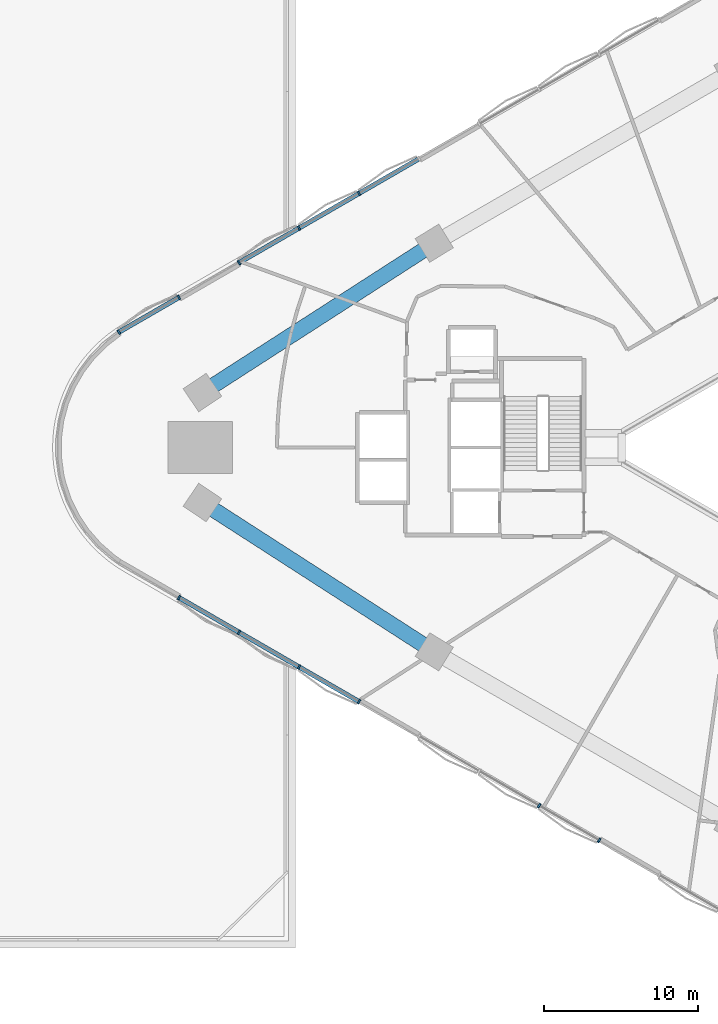
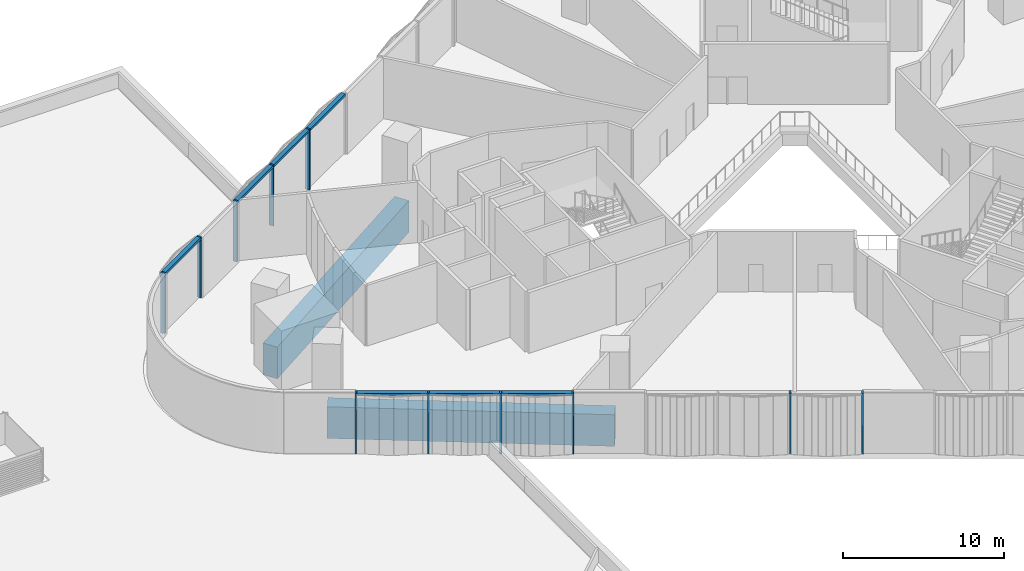
# One storey, part 2 of 14: 14 members, 2 beams, 2 elements without a shape of their own.
"""IFC4 building model written with IfcOpenShell, lengths in metres."""

from ifc_helpers import new_model, si_unit, direction, frame, origin, origin_2d, place, context, subcontext, project, spatial, rectangle, extrude, material, material_profile, profile_set, type_object, element, aggregate, save


model = new_model("IFC4")

# Units and contexts
model_context = context("Model", 3, precision=1e-05, world=origin(), true_north=direction((0.0, 1.0)))
body_context = subcontext(model_context, "Body", "Model", "MODEL_VIEW")
ifc_project = project(units=[si_unit("LENGTHUNIT", "METRE"), si_unit("AREAUNIT", "SQUARE_METRE"), si_unit("VOLUMEUNIT", "CUBIC_METRE"), si_unit("PLANEANGLEUNIT", "RADIAN"), si_unit("MASSUNIT", "GRAM", prefix="KILO")], contexts=[model_context])

# Site, building, storey
site_placement = place(None, origin())
site = spatial("IfcSite", under=ifc_project, at=site_placement, CompositionType="ELEMENT")
building_placement = place(site_placement, origin())
building = spatial("IfcBuilding", under=site, at=building_placement, Name="Tamra Quay Hotel Tower", CompositionType="ELEMENT")
storey_placement = place(building_placement, frame((0.0, 0.0, 24.5)))
storey = spatial("IfcBuildingStorey", under=building, at=storey_placement, Name="L04", CompositionType="ELEMENT", Elevation=24.5)

# Curtain wall, members
ifc_material_1 = material(Name="Aluminium 6063 anodised dark grey", Category="aluminium")
curtain_wall_type = type_object("IfcCurtainWallType", Name="CW4 CURTAIN WALL", PredefinedType="NOTDEFINED", material=ifc_material_1)
curtain_wall_1_placement = place(storey_placement, origin())
curtain_wall_1 = element("IfcCurtainWall", 1, at=curtain_wall_1_placement, inside=storey, type_object=curtain_wall_type, Name="CW4 north-west face L04", PredefinedType="NOTDEFINED")
ifc_material_profile_1 = material_profile(ifc_material_1, rectangle(XDim=0.300048828125, YDim=0.1201171875, at=origin_2d()), Name="MULLION 120X300")
ifc_profile_set_1 = profile_set([ifc_material_profile_1], Name="Aluminium 6063 anodised dark grey")
member_type_1 = type_object("IfcMemberType", Name="MULLION CW4", PredefinedType="MULLION", material=ifc_profile_set_1)
member_1_placement = place(storey_placement, frame((-25.4287109375, 16.479736328125, 0.0), z_axis=(0.0, 0.0, 1.0), x_axis=(-0.500265108278, 0.865872289336, 0.0)))
member_1 = element("IfcMember", 2, at=member_1_placement, type_object=member_type_1, Name="CW4 mullion L04.NW.8", PredefinedType="MULLION", context=body_context, shape_type="SweptSolid", body=[
    extrude(rectangle(XDim=0.300048828125, YDim=0.1201171875, at=origin_2d()), origin(), (0.0, 0.0, 1.0), 4.60009765625),
])
member_2_placement = place(storey_placement, frame((-29.321533203125, 14.230712890625, 0.0), z_axis=(0.0, 0.0, 1.0), x_axis=(-0.500265108278, 0.865872289336, 0.0)))
member_2 = element("IfcMember", 3, at=member_2_placement, type_object=member_type_1, Name="CW4 mullion L04.NW.9", PredefinedType="MULLION", context=body_context, shape_type="SweptSolid", body=[
    extrude(rectangle(XDim=0.300048828125, YDim=0.1201171875, at=origin_2d()), origin(), (0.0, 0.0, 1.0), 4.60009765625),
])
member_3_placement = place(storey_placement, frame((-33.21435546875, 11.9814453125, 0.0), z_axis=(0.0, 0.0, 1.0), x_axis=(-0.500265108278, 0.865872289336, 0.0)))
member_3 = element("IfcMember", 4, at=member_3_placement, type_object=member_type_1, Name="CW4 mullion L04.NW.10", PredefinedType="MULLION", context=body_context, shape_type="SweptSolid", body=[
    extrude(rectangle(XDim=0.300048828125, YDim=0.1201171875, at=origin_2d()), origin(), (0.0, 0.0, 1.0), 4.60009765625),
])
member_4_placement = place(storey_placement, frame((-37.107177734375, 9.732421875, 0.0), z_axis=(0.0, 0.0, 1.0), x_axis=(-0.500265108278, 0.865872289336, 0.0)))
member_4 = element("IfcMember", 5, at=member_4_placement, type_object=member_type_1, Name="CW4 mullion L04.NW.10", PredefinedType="MULLION", context=body_context, shape_type="SweptSolid", body=[
    extrude(rectangle(XDim=0.300048828125, YDim=0.1201171875, at=origin_2d()), origin(), (0.0, 0.0, 1.0), 4.60009765625),
])
member_5_placement = place(storey_placement, frame((-41.000244140625, 7.483154296875, 0.0), z_axis=(0.0, 0.0, 1.0), x_axis=(-0.555697502771, 0.831384559283, 0.0)))
member_5 = element("IfcMember", 6, at=member_5_placement, type_object=member_type_1, Name="CW4 mullion L04.NW.11", PredefinedType="MULLION", context=body_context, shape_type="SweptSolid", body=[
    extrude(rectangle(XDim=0.300048828125, YDim=0.1201171875, at=origin_2d()), origin(), (0.0, 0.0, 1.0), 4.60009765625),
])

curtain_wall_2_placement = place(storey_placement, origin())
curtain_wall_2 = element("IfcCurtainWall", 7, at=curtain_wall_2_placement, inside=storey, type_object=curtain_wall_type, Name="CW4 south-west face L04", PredefinedType="NOTDEFINED")
member_6_placement = place(storey_placement, frame((-37.107177734375, -9.732421875, 0.0), z_axis=(0.0, 0.0, 1.0), x_axis=(-0.500265108278, -0.865872289336, 0.0)))
member_6 = element("IfcMember", 8, at=member_6_placement, type_object=member_type_1, Name="CW4 mullion L04.SW.1", PredefinedType="MULLION", context=body_context, shape_type="SweptSolid", body=[
    extrude(rectangle(XDim=0.300048828125, YDim=0.1201171875, at=origin_2d()), origin(), (0.0, 0.0, 1.0), 4.60009765625),
])
member_7_placement = place(storey_placement, frame((-33.21435546875, -11.9814453125, 0.0), z_axis=(0.0, 0.0, 1.0), x_axis=(-0.500265108278, -0.865872289336, 0.0)))
member_7 = element("IfcMember", 9, at=member_7_placement, type_object=member_type_1, Name="CW4 mullion L04.SW.2", PredefinedType="MULLION", context=body_context, shape_type="SweptSolid", body=[
    extrude(rectangle(XDim=0.300048828125, YDim=0.1201171875, at=origin_2d()), origin(), (0.0, 0.0, 1.0), 4.60009765625),
])
member_8_placement = place(storey_placement, frame((-29.321533203125, -14.230712890625, 0.0), z_axis=(0.0, 0.0, 1.0), x_axis=(-0.500265108278, -0.865872289336, 0.0)))
member_8 = element("IfcMember", 10, at=member_8_placement, type_object=member_type_1, Name="CW4 mullion L04.SW.3", PredefinedType="MULLION", context=body_context, shape_type="SweptSolid", body=[
    extrude(rectangle(XDim=0.300048828125, YDim=0.1201171875, at=origin_2d()), origin(), (0.0, 0.0, 1.0), 4.60009765625),
])
member_9_placement = place(storey_placement, frame((-25.4287109375, -16.479736328125, 0.0), z_axis=(0.0, 0.0, 1.0), x_axis=(-0.500265108278, -0.865872289336, 0.0)))
member_9 = element("IfcMember", 11, at=member_9_placement, type_object=member_type_1, Name="CW4 mullion L04.SW.4", PredefinedType="MULLION", context=body_context, shape_type="SweptSolid", body=[
    extrude(rectangle(XDim=0.300048828125, YDim=0.1201171875, at=origin_2d()), origin(), (0.0, 0.0, 1.0), 4.60009765625),
])
member_10_placement = place(storey_placement, frame((-13.75, -23.227294921875, 0.0), z_axis=(0.0, 0.0, 1.0), x_axis=(-0.500265108278, -0.865872289336, 0.0)))
member_10 = element("IfcMember", 12, at=member_10_placement, type_object=member_type_1, Name="CW4 mullion L04.SW.6", PredefinedType="MULLION", context=body_context, shape_type="SweptSolid", body=[
    extrude(rectangle(XDim=0.300048828125, YDim=0.1201171875, at=origin_2d()), origin(), (0.0, 0.0, 1.0), 4.60009765625),
])
member_11_placement = place(storey_placement, frame((-9.857177734375, -25.476318359375, 0.0), z_axis=(0.0, 0.0, 1.0), x_axis=(-0.500265108278, -0.865872289336, 0.0)))
member_11 = element("IfcMember", 13, at=member_11_placement, type_object=member_type_1, Name="CW4 mullion L04.SW.7", PredefinedType="MULLION", context=body_context, shape_type="SweptSolid", body=[
    extrude(rectangle(XDim=0.300048828125, YDim=0.1201171875, at=origin_2d()), origin(), (0.0, 0.0, 1.0), 4.60009765625),
])

# Beams
ifc_material_2 = material(Name="Concrete M60", Category="concrete")
ifc_material_profile_2 = material_profile(ifc_material_2, rectangle(XDim=1.0, YDim=2.39990234375, at=origin_2d()), Name="PODIUM RING GIRDER RC 1000x2400")
ifc_profile_set_2 = profile_set([ifc_material_profile_2], Name="Concrete M60")
beam_type = type_object("IfcBeamType", Name="PODIUM RING GIRDER RC 1000x2400", PredefinedType="BEAM", material=ifc_profile_set_2)
for number, where, z_axis, x_axis, name in (
    (14, (-20.552001953125, 13.248046875, -1.64990234375), (-0.840663037387, -0.541558544915, 0.0), (0.541558544915, -0.840663037387, 0.0), "BM-PG006-L04"),
    (15, (-35.58349609375, -3.564697265625, -1.64990234375), (0.840663037387, -0.541558544915, 0.0), (0.541558544915, 0.840663037387, 0.0), "BM-PG007-L04"),
):
    element("IfcBeam", number, at=place(storey_placement, frame(where, z_axis=z_axis, x_axis=x_axis)), inside=storey, type_object=beam_type, Name=name, PredefinedType="BEAM", context=body_context, shape_type="SweptSolid", body=[
        extrude(rectangle(XDim=1.0, YDim=2.39990234375, at=origin_2d()), origin(), (0.0, 0.0, 1.0), 17.880615234375),
    ])

# Member
ifc_material_profile_3 = material_profile(ifc_material_1, rectangle(XDim=0.300048828125, YDim=0.179931640625, at=origin_2d()), Name="TRANSOM 300X180")
ifc_profile_set_3 = profile_set([ifc_material_profile_3], Name="Aluminium 6063 anodised dark grey")
member_type_2 = type_object("IfcMemberType", Name="TRANSOM CW4", PredefinedType="USERDEFINED", material=ifc_profile_set_3)
member_12_placement = place(storey_placement, frame((-21.587646484375, 18.698974609375, 4.510009765625), z_axis=(-0.86586858932, -0.500271512311, 0.0), x_axis=(0.500271512311, -0.86586858932, 0.0)))
member_12 = element("IfcMember", 16, at=member_12_placement, type_object=member_type_2, Name="CW4 transom L04.NW.7", ObjectType="TRANSOM", PredefinedType="USERDEFINED", context=body_context, shape_type="SweptSolid", body=[
    extrude(rectangle(XDim=0.300048828125, YDim=0.179931640625, at=origin_2d()), origin(), (0.0, 0.0, 1.0), 13.36767578125),
])

member_13_placement = place(storey_placement, frame((-37.1591796875, 9.702392578125, 4.510009765625), z_axis=(-0.865867758444, -0.500272950385, 0.0), x_axis=(0.500272950385, -0.865867758444, 0.0)))
member_13 = element("IfcMember", 17, at=member_13_placement, type_object=member_type_2, Name="CW4 transom L04.NW.10", ObjectType="TRANSOM", PredefinedType="USERDEFINED", context=body_context, shape_type="SweptSolid", body=[
    extrude(rectangle(XDim=0.300048828125, YDim=0.179931640625, at=origin_2d()), origin(), (0.0, 0.0, 1.0), 4.3759765625),
])

aggregate(curtain_wall_1, [member_12, member_1, member_2, member_3, member_4, member_13, member_5])

member_14_placement = place(storey_placement, frame((-37.055419921875, -9.762451171875, 4.510009765625), z_axis=(0.865876500437, -0.50025781952, 0.0), x_axis=(0.50025781952, 0.865876500437, 0.0)))
member_14 = element("IfcMember", 18, at=member_14_placement, type_object=member_type_2, Name="CW4 transom L04.SW.1", ObjectType="TRANSOM", PredefinedType="USERDEFINED", context=body_context, shape_type="SweptSolid", body=[
    extrude(rectangle(XDim=0.300048828125, YDim=0.179931640625, at=origin_2d()), origin(), (0.0, 0.0, 1.0), 13.36767578125),
])

aggregate(curtain_wall_2, [member_6, member_14, member_7, member_8, member_9, member_10, member_11])

save(model, "model.ifc")
